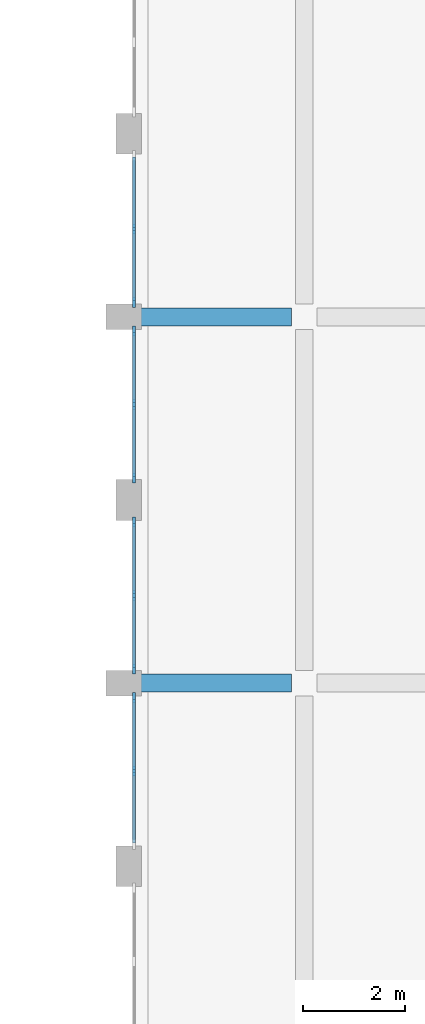
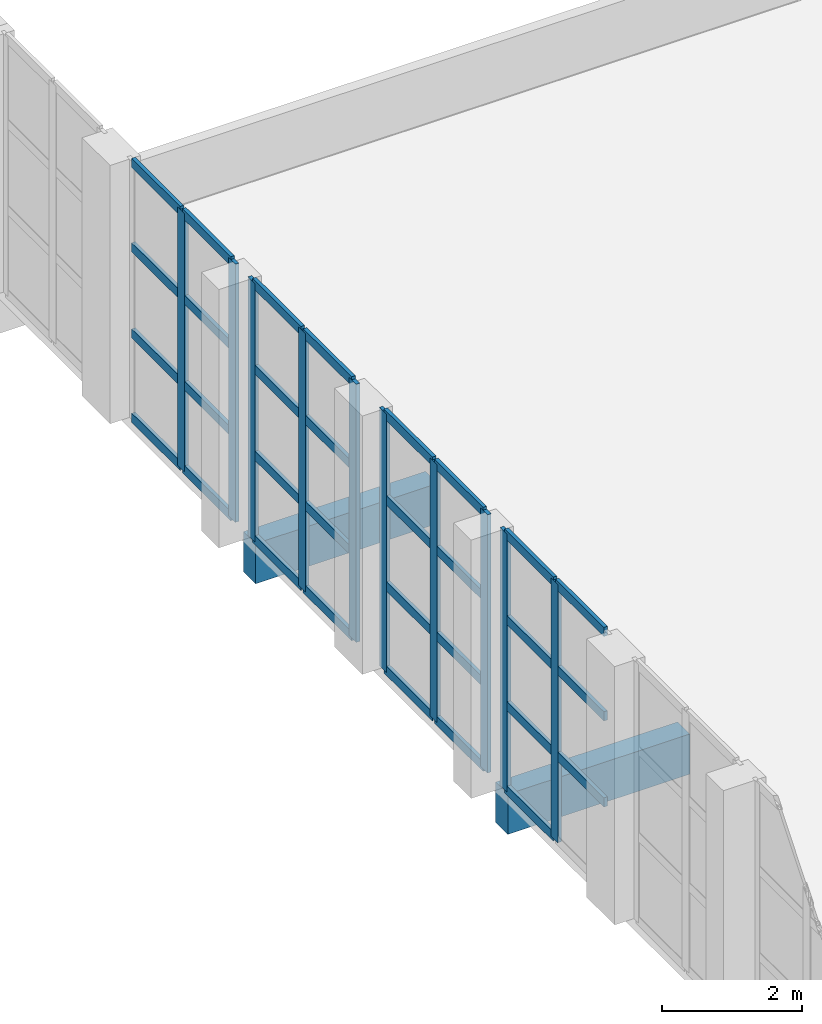
# One storey, part 5 of 44: 41 members, 2 beams, 4 elements without a shape of their own.
"""IFC4 building model written with IfcOpenShell, lengths in metres."""

from ifc_helpers import new_model, si_unit, direction, frame, origin, origin_2d, place, context, subcontext, project, spatial, rectangle, extrude, material, layer, layer_set, material_profile, profile_set, type_object, element, aggregate, save


model = new_model("IFC4")

# Units and contexts
model_context = context("Model", 3, precision=1e-05, world=origin(), true_north=direction((0.0, 1.0)))
body_context = subcontext(model_context, "Body", "Model", "MODEL_VIEW")
ifc_project = project(units=[si_unit("LENGTHUNIT", "METRE"), si_unit("AREAUNIT", "SQUARE_METRE"), si_unit("VOLUMEUNIT", "CUBIC_METRE"), si_unit("PLANEANGLEUNIT", "RADIAN"), si_unit("MASSUNIT", "GRAM", prefix="KILO")], contexts=[model_context])

# Site, building, storey
site_placement = place(None, origin())
site = spatial("IfcSite", under=ifc_project, at=site_placement, CompositionType="ELEMENT")
building_placement = place(site_placement, origin())
building = spatial("IfcBuilding", under=site, at=building_placement, Name="Ussher Court Research Institute", CompositionType="ELEMENT")
storey_placement = place(building_placement, frame((0.0, 0.0, 18.89990234375)))
storey = spatial("IfcBuildingStorey", under=building, at=storey_placement, Name="L04", CompositionType="ELEMENT", Elevation=18.89990234375)

# Curtain wall, members
ifc_material_1 = material(Name="Bronze anodised aluminium with low-e glass", Category="aluminium")
ifc_layer = layer(ifc_material_1, 0.159912109375)
ifc_layer_set = layer_set([ifc_layer], Name="Bronze anodised aluminium with low-e glass")
curtain_wall_type = type_object("IfcCurtainWallType", Name="Curtain wall atrium clerestory tall glazing", PredefinedType="NOTDEFINED", material=ifc_layer_set)
curtain_wall_1_placement = place(storey_placement, origin())
curtain_wall_1 = element("IfcCurtainWall", 1, at=curtain_wall_1_placement, inside=storey, type_object=curtain_wall_type, Name="Curtain wall CW3 L04", PredefinedType="NOTDEFINED")
ifc_material_2 = material(Name="Bronze anodised aluminium", Category="aluminium")
ifc_material_profile_1 = material_profile(ifc_material_2, rectangle(XDim=0.06005859375, YDim=0.199951171875, at=origin_2d()), Name="Mullion 60x200")
ifc_profile_set_1 = profile_set([ifc_material_profile_1], Name="Bronze anodised aluminium")
member_type_1 = type_object("IfcMemberType", Name="Mullion 60x200", PredefinedType="MULLION", material=ifc_profile_set_1)
member_1_placement = place(storey_placement, frame((64.449951171875, 34.52490234375, 0.0), z_axis=(0.0, 0.0, 1.0), x_axis=(1.0, 0.0, 0.0)))
member_1 = element("IfcMember", 2, at=member_1_placement, type_object=member_type_1, Name="CW3 mullion 2", PredefinedType="MULLION", context=body_context, shape_type="SweptSolid", body=[
    extrude(rectangle(XDim=0.06005859375, YDim=0.199951171875, at=origin_2d()), origin(), (0.0, 0.0, 1.0), 4.5),
])
member_2_placement = place(storey_placement, frame((64.449951171875, 33.080078125, 0.0), z_axis=(0.0, 0.0, 1.0), x_axis=(1.0, 0.0, 0.0)))
member_2 = element("IfcMember", 3, at=member_2_placement, type_object=member_type_1, Name="CW3 mullion 3", PredefinedType="MULLION", context=body_context, shape_type="SweptSolid", body=[
    extrude(rectangle(XDim=0.06005859375, YDim=0.199951171875, at=origin_2d()), origin(), (0.0, 0.0, 1.0), 4.5),
])

curtain_wall_2_placement = place(storey_placement, origin())
curtain_wall_2 = element("IfcCurtainWall", 4, at=curtain_wall_2_placement, inside=storey, type_object=curtain_wall_type, Name="Curtain wall CW3 L04", PredefinedType="NOTDEFINED")
member_3_placement = place(storey_placement, frame((64.449951171875, 32.52001953125, 0.0), z_axis=(0.0, 0.0, 1.0), x_axis=(1.0, 0.0, 0.0)))
member_3 = element("IfcMember", 5, at=member_3_placement, type_object=member_type_1, Name="CW3 mullion 1", PredefinedType="MULLION", context=body_context, shape_type="SweptSolid", body=[
    extrude(rectangle(XDim=0.06005859375, YDim=0.199951171875, at=origin_2d()), origin(), (0.0, 0.0, 1.0), 4.5),
])
member_4_placement = place(storey_placement, frame((64.449951171875, 31.074951171875, 0.0), z_axis=(0.0, 0.0, 1.0), x_axis=(1.0, 0.0, 0.0)))
member_4 = element("IfcMember", 6, at=member_4_placement, type_object=member_type_1, Name="CW3 mullion 2", PredefinedType="MULLION", context=body_context, shape_type="SweptSolid", body=[
    extrude(rectangle(XDim=0.06005859375, YDim=0.199951171875, at=origin_2d()), origin(), (0.0, 0.0, 1.0), 4.5),
])
member_5_placement = place(storey_placement, frame((64.449951171875, 29.6298828125, 0.0), z_axis=(0.0, 0.0, 1.0), x_axis=(1.0, 0.0, 0.0)))
member_5 = element("IfcMember", 7, at=member_5_placement, type_object=member_type_1, Name="CW3 mullion 3", PredefinedType="MULLION", context=body_context, shape_type="SweptSolid", body=[
    extrude(rectangle(XDim=0.06005859375, YDim=0.199951171875, at=origin_2d()), origin(), (0.0, 0.0, 1.0), 4.5),
])

curtain_wall_3_placement = place(storey_placement, origin())
curtain_wall_3 = element("IfcCurtainWall", 8, at=curtain_wall_3_placement, inside=storey, type_object=curtain_wall_type, Name="Curtain wall CW3 L04", PredefinedType="NOTDEFINED")
member_6_placement = place(storey_placement, frame((64.449951171875, 28.77001953125, 0.0), z_axis=(0.0, 0.0, 1.0), x_axis=(1.0, 0.0, 0.0)))
member_6 = element("IfcMember", 9, at=member_6_placement, type_object=member_type_1, Name="CW3 mullion 1", PredefinedType="MULLION", context=body_context, shape_type="SweptSolid", body=[
    extrude(rectangle(XDim=0.06005859375, YDim=0.199951171875, at=origin_2d()), origin(), (0.0, 0.0, 1.0), 4.5),
])
member_7_placement = place(storey_placement, frame((64.449951171875, 27.324951171875, 0.0), z_axis=(0.0, 0.0, 1.0), x_axis=(1.0, 0.0, 0.0)))
member_7 = element("IfcMember", 10, at=member_7_placement, type_object=member_type_1, Name="CW3 mullion 2", PredefinedType="MULLION", context=body_context, shape_type="SweptSolid", body=[
    extrude(rectangle(XDim=0.06005859375, YDim=0.199951171875, at=origin_2d()), origin(), (0.0, 0.0, 1.0), 4.5),
])
member_8_placement = place(storey_placement, frame((64.449951171875, 25.8798828125, 0.0), z_axis=(0.0, 0.0, 1.0), x_axis=(1.0, 0.0, 0.0)))
member_8 = element("IfcMember", 11, at=member_8_placement, type_object=member_type_1, Name="CW3 mullion 3", PredefinedType="MULLION", context=body_context, shape_type="SweptSolid", body=[
    extrude(rectangle(XDim=0.06005859375, YDim=0.199951171875, at=origin_2d()), origin(), (0.0, 0.0, 1.0), 4.5),
])

curtain_wall_4_placement = place(storey_placement, origin())
curtain_wall_4 = element("IfcCurtainWall", 12, at=curtain_wall_4_placement, inside=storey, type_object=curtain_wall_type, Name="Curtain wall CW3 L04", PredefinedType="NOTDEFINED")
member_9_placement = place(storey_placement, frame((64.449951171875, 25.320068359375, 0.0), z_axis=(0.0, 0.0, 1.0), x_axis=(1.0, 0.0, 0.0)))
member_9 = element("IfcMember", 13, at=member_9_placement, type_object=member_type_1, Name="CW3 mullion 1", PredefinedType="MULLION", context=body_context, shape_type="SweptSolid", body=[
    extrude(rectangle(XDim=0.06005859375, YDim=0.199951171875, at=origin_2d()), origin(), (0.0, 0.0, 1.0), 4.5),
])
member_10_placement = place(storey_placement, frame((64.449951171875, 23.875, 0.0), z_axis=(0.0, 0.0, 1.0), x_axis=(1.0, 0.0, 0.0)))
member_10 = element("IfcMember", 14, at=member_10_placement, type_object=member_type_1, Name="CW3 mullion 2", PredefinedType="MULLION", context=body_context, shape_type="SweptSolid", body=[
    extrude(rectangle(XDim=0.06005859375, YDim=0.199951171875, at=origin_2d()), origin(), (0.0, 0.0, 1.0), 4.5),
])

# Beams
ifc_material_3 = material(Name="Concrete C35/45", Category="concrete")
ifc_material_profile_2 = material_profile(ifc_material_3, rectangle(XDim=0.35009765625, YDim=0.699951171875, at=origin_2d()), Name="RC 350x700")
ifc_profile_set_2 = profile_set([ifc_material_profile_2], Name="Concrete C35/45")
beam_type = type_object("IfcBeamType", Name="RC 350x700 beam", PredefinedType="BEAM", material=ifc_profile_set_2)
for number, where, z_axis, x_axis, name in (
    (15, (64.550048828125, 25.60009765625, -0.5498046875), (1.0, 0.0, 0.0), (0.0, 1.0, 0.0), "B16 V7 L04-08"),
    (16, (64.550048828125, 32.800048828125, -0.5498046875), (1.0, 0.0, 0.0), (0.0, 1.0, 0.0), "B16 V7 L04-13"),
):
    element("IfcBeam", number, at=place(storey_placement, frame(where, z_axis=z_axis, x_axis=x_axis)), inside=storey, type_object=beam_type, Name=name, PredefinedType="BEAM", context=body_context, shape_type="SweptSolid", body=[
        extrude(rectangle(XDim=0.35009765625, YDim=0.699951171875, at=origin_2d()), origin(), (0.0, 0.0, 1.0), 3.0),
    ])

# Member
ifc_material_4 = material(Name="Bronze anodised aluminium", Category="aluminium")
ifc_material_profile_3 = material_profile(ifc_material_4, rectangle(XDim=0.06005859375, YDim=0.159912109375, at=origin_2d()), Name="Transom 60x160")
ifc_profile_set_3 = profile_set([ifc_material_profile_3], Name="Bronze anodised aluminium")
member_type_2 = type_object("IfcMemberType", Name="Transom 60x160", PredefinedType="USERDEFINED", material=ifc_profile_set_3)
member_11_placement = place(storey_placement, frame((64.449951171875, 35.93994140625, 0.030029296875), z_axis=(0.0, -1.0, 0.0), x_axis=(1.0, 0.0, 0.0)))
member_11 = element("IfcMember", 17, at=member_11_placement, type_object=member_type_2, Name="CW3 transom 1.1", ObjectType="TRANSOM", PredefinedType="USERDEFINED", context=body_context, shape_type="SweptSolid", body=[
    extrude(rectangle(XDim=0.06005859375, YDim=0.159912109375, at=origin_2d()), origin(), (0.0, 0.0, 1.0), 1.385009765625),
])

member_12_placement = place(storey_placement, frame((64.449951171875, 35.93994140625, 1.5), z_axis=(0.0, -1.0, 0.0), x_axis=(1.0, 0.0, 0.0)))
member_12 = element("IfcMember", 18, at=member_12_placement, type_object=member_type_2, Name="CW3 transom 1.2", ObjectType="TRANSOM", PredefinedType="USERDEFINED", context=body_context, shape_type="SweptSolid", body=[
    extrude(rectangle(XDim=0.06005859375, YDim=0.159912109375, at=origin_2d()), origin(), (0.0, 0.0, 1.0), 1.385009765625),
])

member_13_placement = place(storey_placement, frame((64.449951171875, 35.93994140625, 3.0), z_axis=(0.0, -1.0, 0.0), x_axis=(1.0, 0.0, 0.0)))
member_13 = element("IfcMember", 19, at=member_13_placement, type_object=member_type_2, Name="CW3 transom 1.3", ObjectType="TRANSOM", PredefinedType="USERDEFINED", context=body_context, shape_type="SweptSolid", body=[
    extrude(rectangle(XDim=0.06005859375, YDim=0.159912109375, at=origin_2d()), origin(), (0.0, 0.0, 1.0), 1.385009765625),
])

member_14_placement = place(storey_placement, frame((64.449951171875, 35.93994140625, 4.47021484375), z_axis=(0.0, -1.0, 0.0), x_axis=(1.0, 0.0, 0.0)))
member_14 = element("IfcMember", 20, at=member_14_placement, type_object=member_type_2, Name="CW3 transom 1.4", ObjectType="TRANSOM", PredefinedType="USERDEFINED", context=body_context, shape_type="SweptSolid", body=[
    extrude(rectangle(XDim=0.06005859375, YDim=0.159912109375, at=origin_2d()), origin(), (0.0, 0.0, 1.0), 1.385009765625),
])

member_15_placement = place(storey_placement, frame((64.449951171875, 34.4951171875, 0.030029296875), z_axis=(0.0, -1.0, 0.0), x_axis=(1.0, 0.0, 0.0)))
member_15 = element("IfcMember", 21, at=member_15_placement, type_object=member_type_2, Name="CW3 transom 2.1", ObjectType="TRANSOM", PredefinedType="USERDEFINED", context=body_context, shape_type="SweptSolid", body=[
    extrude(rectangle(XDim=0.06005859375, YDim=0.159912109375, at=origin_2d()), origin(), (0.0, 0.0, 1.0), 1.385009765625),
])

member_16_placement = place(storey_placement, frame((64.449951171875, 34.4951171875, 1.5), z_axis=(0.0, -1.0, 0.0), x_axis=(1.0, 0.0, 0.0)))
member_16 = element("IfcMember", 22, at=member_16_placement, type_object=member_type_2, Name="CW3 transom 2.2", ObjectType="TRANSOM", PredefinedType="USERDEFINED", context=body_context, shape_type="SweptSolid", body=[
    extrude(rectangle(XDim=0.06005859375, YDim=0.159912109375, at=origin_2d()), origin(), (0.0, 0.0, 1.0), 1.385009765625),
])

member_17_placement = place(storey_placement, frame((64.449951171875, 34.4951171875, 3.0), z_axis=(0.0, -1.0, 0.0), x_axis=(1.0, 0.0, 0.0)))
member_17 = element("IfcMember", 23, at=member_17_placement, type_object=member_type_2, Name="CW3 transom 2.3", ObjectType="TRANSOM", PredefinedType="USERDEFINED", context=body_context, shape_type="SweptSolid", body=[
    extrude(rectangle(XDim=0.06005859375, YDim=0.159912109375, at=origin_2d()), origin(), (0.0, 0.0, 1.0), 1.385009765625),
])

member_18_placement = place(storey_placement, frame((64.449951171875, 34.4951171875, 4.47021484375), z_axis=(0.0, -1.0, 0.0), x_axis=(1.0, 0.0, 0.0)))
member_18 = element("IfcMember", 24, at=member_18_placement, type_object=member_type_2, Name="CW3 transom 2.4", ObjectType="TRANSOM", PredefinedType="USERDEFINED", context=body_context, shape_type="SweptSolid", body=[
    extrude(rectangle(XDim=0.06005859375, YDim=0.159912109375, at=origin_2d()), origin(), (0.0, 0.0, 1.0), 1.385009765625),
])

aggregate(curtain_wall_1, [member_1, member_2, member_11, member_12, member_13, member_14, member_15, member_16, member_17, member_18])

member_19_placement = place(storey_placement, frame((64.449951171875, 32.489990234375, 0.030029296875), z_axis=(0.0, -1.0, 0.0), x_axis=(1.0, 0.0, 0.0)))
member_19 = element("IfcMember", 25, at=member_19_placement, type_object=member_type_2, Name="CW3 transom 1.1", ObjectType="TRANSOM", PredefinedType="USERDEFINED", context=body_context, shape_type="SweptSolid", body=[
    extrude(rectangle(XDim=0.06005859375, YDim=0.159912109375, at=origin_2d()), origin(), (0.0, 0.0, 1.0), 1.385009765625),
])

member_20_placement = place(storey_placement, frame((64.449951171875, 32.489990234375, 1.5), z_axis=(0.0, -1.0, 0.0), x_axis=(1.0, 0.0, 0.0)))
member_20 = element("IfcMember", 26, at=member_20_placement, type_object=member_type_2, Name="CW3 transom 1.2", ObjectType="TRANSOM", PredefinedType="USERDEFINED", context=body_context, shape_type="SweptSolid", body=[
    extrude(rectangle(XDim=0.06005859375, YDim=0.159912109375, at=origin_2d()), origin(), (0.0, 0.0, 1.0), 1.385009765625),
])

member_21_placement = place(storey_placement, frame((64.449951171875, 32.489990234375, 3.0), z_axis=(0.0, -1.0, 0.0), x_axis=(1.0, 0.0, 0.0)))
member_21 = element("IfcMember", 27, at=member_21_placement, type_object=member_type_2, Name="CW3 transom 1.3", ObjectType="TRANSOM", PredefinedType="USERDEFINED", context=body_context, shape_type="SweptSolid", body=[
    extrude(rectangle(XDim=0.06005859375, YDim=0.159912109375, at=origin_2d()), origin(), (0.0, 0.0, 1.0), 1.385009765625),
])

member_22_placement = place(storey_placement, frame((64.449951171875, 32.489990234375, 4.47021484375), z_axis=(0.0, -1.0, 0.0), x_axis=(1.0, 0.0, 0.0)))
member_22 = element("IfcMember", 28, at=member_22_placement, type_object=member_type_2, Name="CW3 transom 1.4", ObjectType="TRANSOM", PredefinedType="USERDEFINED", context=body_context, shape_type="SweptSolid", body=[
    extrude(rectangle(XDim=0.06005859375, YDim=0.159912109375, at=origin_2d()), origin(), (0.0, 0.0, 1.0), 1.385009765625),
])

member_23_placement = place(storey_placement, frame((64.449951171875, 31.044921875, 0.030029296875), z_axis=(0.0, -1.0, 0.0), x_axis=(1.0, 0.0, 0.0)))
member_23 = element("IfcMember", 29, at=member_23_placement, type_object=member_type_2, Name="CW3 transom 2.1", ObjectType="TRANSOM", PredefinedType="USERDEFINED", context=body_context, shape_type="SweptSolid", body=[
    extrude(rectangle(XDim=0.06005859375, YDim=0.159912109375, at=origin_2d()), origin(), (0.0, 0.0, 1.0), 1.385009765625),
])

member_24_placement = place(storey_placement, frame((64.449951171875, 31.044921875, 1.5), z_axis=(0.0, -1.0, 0.0), x_axis=(1.0, 0.0, 0.0)))
member_24 = element("IfcMember", 30, at=member_24_placement, type_object=member_type_2, Name="CW3 transom 2.2", ObjectType="TRANSOM", PredefinedType="USERDEFINED", context=body_context, shape_type="SweptSolid", body=[
    extrude(rectangle(XDim=0.06005859375, YDim=0.159912109375, at=origin_2d()), origin(), (0.0, 0.0, 1.0), 1.385009765625),
])

member_25_placement = place(storey_placement, frame((64.449951171875, 31.044921875, 3.0), z_axis=(0.0, -1.0, 0.0), x_axis=(1.0, 0.0, 0.0)))
member_25 = element("IfcMember", 31, at=member_25_placement, type_object=member_type_2, Name="CW3 transom 2.3", ObjectType="TRANSOM", PredefinedType="USERDEFINED", context=body_context, shape_type="SweptSolid", body=[
    extrude(rectangle(XDim=0.06005859375, YDim=0.159912109375, at=origin_2d()), origin(), (0.0, 0.0, 1.0), 1.385009765625),
])

member_26_placement = place(storey_placement, frame((64.449951171875, 31.044921875, 4.47021484375), z_axis=(0.0, -1.0, 0.0), x_axis=(1.0, 0.0, 0.0)))
member_26 = element("IfcMember", 32, at=member_26_placement, type_object=member_type_2, Name="CW3 transom 2.4", ObjectType="TRANSOM", PredefinedType="USERDEFINED", context=body_context, shape_type="SweptSolid", body=[
    extrude(rectangle(XDim=0.06005859375, YDim=0.159912109375, at=origin_2d()), origin(), (0.0, 0.0, 1.0), 1.385009765625),
])

aggregate(curtain_wall_2, [member_3, member_4, member_5, member_19, member_20, member_21, member_22, member_23, member_24, member_25, member_26])

member_27_placement = place(storey_placement, frame((64.449951171875, 28.739990234375, 0.030029296875), z_axis=(0.0, -1.0, 0.0), x_axis=(1.0, 0.0, 0.0)))
member_27 = element("IfcMember", 33, at=member_27_placement, type_object=member_type_2, Name="CW3 transom 1.1", ObjectType="TRANSOM", PredefinedType="USERDEFINED", context=body_context, shape_type="SweptSolid", body=[
    extrude(rectangle(XDim=0.06005859375, YDim=0.159912109375, at=origin_2d()), origin(), (0.0, 0.0, 1.0), 1.385009765625),
])

member_28_placement = place(storey_placement, frame((64.449951171875, 28.739990234375, 1.5), z_axis=(0.0, -1.0, 0.0), x_axis=(1.0, 0.0, 0.0)))
member_28 = element("IfcMember", 34, at=member_28_placement, type_object=member_type_2, Name="CW3 transom 1.2", ObjectType="TRANSOM", PredefinedType="USERDEFINED", context=body_context, shape_type="SweptSolid", body=[
    extrude(rectangle(XDim=0.06005859375, YDim=0.159912109375, at=origin_2d()), origin(), (0.0, 0.0, 1.0), 1.385009765625),
])

member_29_placement = place(storey_placement, frame((64.449951171875, 28.739990234375, 3.0), z_axis=(0.0, -1.0, 0.0), x_axis=(1.0, 0.0, 0.0)))
member_29 = element("IfcMember", 35, at=member_29_placement, type_object=member_type_2, Name="CW3 transom 1.3", ObjectType="TRANSOM", PredefinedType="USERDEFINED", context=body_context, shape_type="SweptSolid", body=[
    extrude(rectangle(XDim=0.06005859375, YDim=0.159912109375, at=origin_2d()), origin(), (0.0, 0.0, 1.0), 1.385009765625),
])

member_30_placement = place(storey_placement, frame((64.449951171875, 28.739990234375, 4.47021484375), z_axis=(0.0, -1.0, 0.0), x_axis=(1.0, 0.0, 0.0)))
member_30 = element("IfcMember", 36, at=member_30_placement, type_object=member_type_2, Name="CW3 transom 1.4", ObjectType="TRANSOM", PredefinedType="USERDEFINED", context=body_context, shape_type="SweptSolid", body=[
    extrude(rectangle(XDim=0.06005859375, YDim=0.159912109375, at=origin_2d()), origin(), (0.0, 0.0, 1.0), 1.385009765625),
])

member_31_placement = place(storey_placement, frame((64.449951171875, 27.294921875, 0.030029296875), z_axis=(0.0, -1.0, 0.0), x_axis=(1.0, 0.0, 0.0)))
member_31 = element("IfcMember", 37, at=member_31_placement, type_object=member_type_2, Name="CW3 transom 2.1", ObjectType="TRANSOM", PredefinedType="USERDEFINED", context=body_context, shape_type="SweptSolid", body=[
    extrude(rectangle(XDim=0.06005859375, YDim=0.159912109375, at=origin_2d()), origin(), (0.0, 0.0, 1.0), 1.385009765625),
])

member_32_placement = place(storey_placement, frame((64.449951171875, 27.294921875, 1.5), z_axis=(0.0, -1.0, 0.0), x_axis=(1.0, 0.0, 0.0)))
member_32 = element("IfcMember", 38, at=member_32_placement, type_object=member_type_2, Name="CW3 transom 2.2", ObjectType="TRANSOM", PredefinedType="USERDEFINED", context=body_context, shape_type="SweptSolid", body=[
    extrude(rectangle(XDim=0.06005859375, YDim=0.159912109375, at=origin_2d()), origin(), (0.0, 0.0, 1.0), 1.385009765625),
])

member_33_placement = place(storey_placement, frame((64.449951171875, 27.294921875, 3.0), z_axis=(0.0, -1.0, 0.0), x_axis=(1.0, 0.0, 0.0)))
member_33 = element("IfcMember", 39, at=member_33_placement, type_object=member_type_2, Name="CW3 transom 2.3", ObjectType="TRANSOM", PredefinedType="USERDEFINED", context=body_context, shape_type="SweptSolid", body=[
    extrude(rectangle(XDim=0.06005859375, YDim=0.159912109375, at=origin_2d()), origin(), (0.0, 0.0, 1.0), 1.385009765625),
])

member_34_placement = place(storey_placement, frame((64.449951171875, 27.294921875, 4.47021484375), z_axis=(0.0, -1.0, 0.0), x_axis=(1.0, 0.0, 0.0)))
member_34 = element("IfcMember", 40, at=member_34_placement, type_object=member_type_2, Name="CW3 transom 2.4", ObjectType="TRANSOM", PredefinedType="USERDEFINED", context=body_context, shape_type="SweptSolid", body=[
    extrude(rectangle(XDim=0.06005859375, YDim=0.159912109375, at=origin_2d()), origin(), (0.0, 0.0, 1.0), 1.385009765625),
])

aggregate(curtain_wall_3, [member_6, member_7, member_8, member_27, member_28, member_29, member_30, member_31, member_32, member_33, member_34])

member_35_placement = place(storey_placement, frame((64.449951171875, 25.2900390625, 0.030029296875), z_axis=(0.0, -1.0, 0.0), x_axis=(1.0, 0.0, 0.0)))
member_35 = element("IfcMember", 41, at=member_35_placement, type_object=member_type_2, Name="CW3 transom 1.1", ObjectType="TRANSOM", PredefinedType="USERDEFINED", context=body_context, shape_type="SweptSolid", body=[
    extrude(rectangle(XDim=0.06005859375, YDim=0.159912109375, at=origin_2d()), origin(), (0.0, 0.0, 1.0), 1.385009765625),
])

member_36_placement = place(storey_placement, frame((64.449951171875, 25.2900390625, 1.5), z_axis=(0.0, -1.0, 0.0), x_axis=(1.0, 0.0, 0.0)))
member_36 = element("IfcMember", 42, at=member_36_placement, type_object=member_type_2, Name="CW3 transom 1.2", ObjectType="TRANSOM", PredefinedType="USERDEFINED", context=body_context, shape_type="SweptSolid", body=[
    extrude(rectangle(XDim=0.06005859375, YDim=0.159912109375, at=origin_2d()), origin(), (0.0, 0.0, 1.0), 1.385009765625),
])

member_37_placement = place(storey_placement, frame((64.449951171875, 25.2900390625, 3.0), z_axis=(0.0, -1.0, 0.0), x_axis=(1.0, 0.0, 0.0)))
member_37 = element("IfcMember", 43, at=member_37_placement, type_object=member_type_2, Name="CW3 transom 1.3", ObjectType="TRANSOM", PredefinedType="USERDEFINED", context=body_context, shape_type="SweptSolid", body=[
    extrude(rectangle(XDim=0.06005859375, YDim=0.159912109375, at=origin_2d()), origin(), (0.0, 0.0, 1.0), 1.385009765625),
])

member_38_placement = place(storey_placement, frame((64.449951171875, 25.2900390625, 4.47021484375), z_axis=(0.0, -1.0, 0.0), x_axis=(1.0, 0.0, 0.0)))
member_38 = element("IfcMember", 44, at=member_38_placement, type_object=member_type_2, Name="CW3 transom 1.4", ObjectType="TRANSOM", PredefinedType="USERDEFINED", context=body_context, shape_type="SweptSolid", body=[
    extrude(rectangle(XDim=0.06005859375, YDim=0.159912109375, at=origin_2d()), origin(), (0.0, 0.0, 1.0), 1.385009765625),
])

member_39_placement = place(storey_placement, frame((64.449951171875, 23.844970703125, 1.5), z_axis=(0.0, -1.0, 0.0), x_axis=(1.0, 0.0, 0.0)))
member_39 = element("IfcMember", 45, at=member_39_placement, type_object=member_type_2, Name="CW3 transom 2.2", ObjectType="TRANSOM", PredefinedType="USERDEFINED", context=body_context, shape_type="SweptSolid", body=[
    extrude(rectangle(XDim=0.06005859375, YDim=0.159912109375, at=origin_2d()), origin(), (0.0, 0.0, 1.0), 1.385009765625),
])

member_40_placement = place(storey_placement, frame((64.449951171875, 23.844970703125, 3.0), z_axis=(0.0, -1.0, 0.0), x_axis=(1.0, 0.0, 0.0)))
member_40 = element("IfcMember", 46, at=member_40_placement, type_object=member_type_2, Name="CW3 transom 2.3", ObjectType="TRANSOM", PredefinedType="USERDEFINED", context=body_context, shape_type="SweptSolid", body=[
    extrude(rectangle(XDim=0.06005859375, YDim=0.159912109375, at=origin_2d()), origin(), (0.0, 0.0, 1.0), 1.385009765625),
])

member_41_placement = place(storey_placement, frame((64.449951171875, 23.844970703125, 4.47021484375), z_axis=(0.0, -1.0, 0.0), x_axis=(1.0, 0.0, 0.0)))
member_41 = element("IfcMember", 47, at=member_41_placement, type_object=member_type_2, Name="CW3 transom 2.4", ObjectType="TRANSOM", PredefinedType="USERDEFINED", context=body_context, shape_type="SweptSolid", body=[
    extrude(rectangle(XDim=0.06005859375, YDim=0.159912109375, at=origin_2d()), origin(), (0.0, 0.0, 1.0), 1.385009765625),
])

aggregate(curtain_wall_4, [member_9, member_10, member_35, member_36, member_37, member_38, member_39, member_40, member_41])

save(model, "model.ifc")
